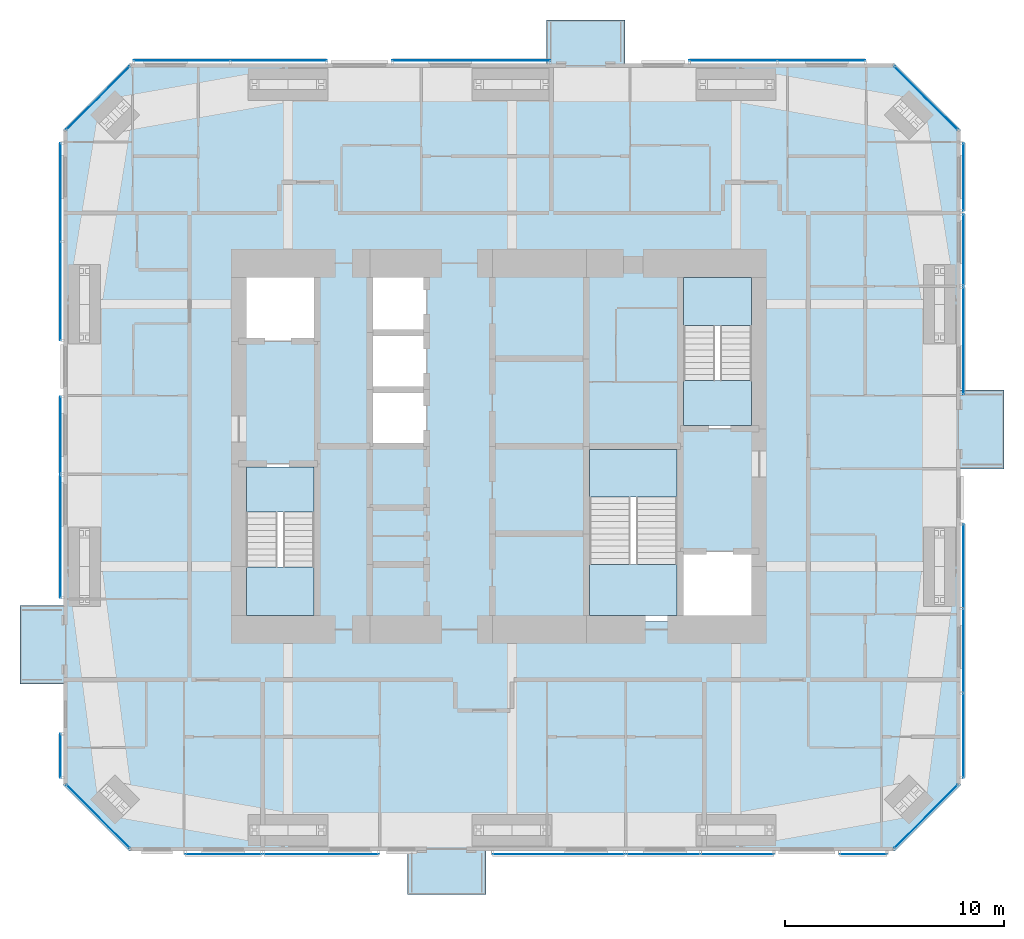
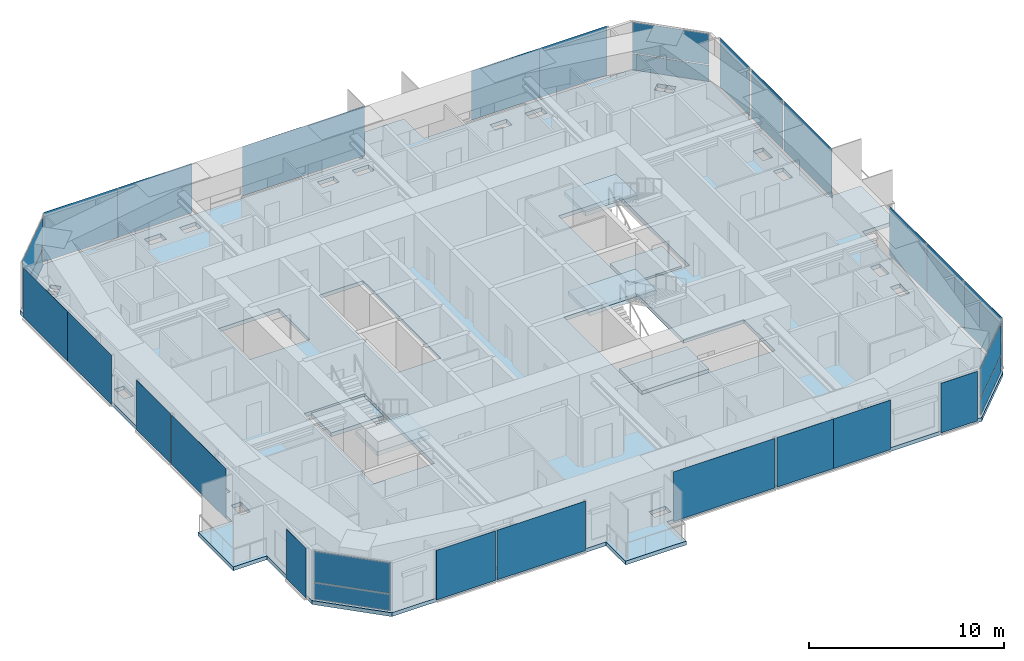
# One storey, part 14 of 23: 30 plates, 7 slabs, 23 elements without a shape of their own.
"""IFC4 building model written with IfcOpenShell, lengths in metres."""

import ifcopenshell
import ifcopenshell.guid

model = None  # the IFC model being written
_history = None  # IfcOwnerHistory: only IFC2X3 demands one
_inside = {}  # id of a spatial element -> (the spatial element, [elements in it])
_under = {}  # id of a project, library or spatial element -> (it, [spatial elements below it])
_declared = {}  # id of a project -> (the project, [libraries it declares])
_typed = {}  # id of a type object -> (the type object, [elements of that type])
_made_of = {}  # id of a material, layer set ... -> (it, [elements and type objects made of it])


def new_model(schema):
    """Start an empty IFC model of exactly this schema.

    Asked for "IFC4X3", IfcOpenShell would pick the latest addendum, in which some entities
    have other attributes; the version numbers below select the first issue.
    IFC2X3 requires an IfcOwnerHistory on every rooted entity: one is made here for all.
    """
    global model, _history
    if schema == "IFC4X3":
        model = ifcopenshell.file(schema_version=(4, 3, 0, 0))
    else:
        model = ifcopenshell.file(schema=schema)
    _inside.clear()
    _under.clear()
    _declared.clear()
    _typed.clear()
    _made_of.clear()
    _history = None
    if model.schema == "IFC2X3":
        org = make("IfcOrganization", Name="unknown")
        user = make(
            "IfcPersonAndOrganization",
            ThePerson=make("IfcPerson", FamilyName="unknown"),
            TheOrganization=org,
        )
        app = make(
            "IfcApplication",
            ApplicationDeveloper=org,
            Version="unknown",
            ApplicationFullName="unknown",
            ApplicationIdentifier="unknown",
        )
        _history = make(
            "IfcOwnerHistory",
            OwningUser=user,
            OwningApplication=app,
            ChangeAction="ADDED",
            CreationDate=0,
        )
    return model


def make(cls, **values):
    """One entity of the class cls with the attributes given. An attribute that is None is left unset."""
    return model.create_entity(
        cls, **{name: value for name, value in values.items() if value is not None}
    )


def rooted(cls, **values):
    """An entity with a GlobalId (a new one), such as an element, a storey or a relation."""
    return make(cls, GlobalId=ifcopenshell.guid.new(), OwnerHistory=_history, **values)


def si_unit(unit_type, name, prefix=None):
    """IfcSIUnit, for example si_unit("LENGTHUNIT", "METRE", prefix="MILLI")."""
    return make("IfcSIUnit", UnitType=unit_type, Prefix=prefix, Name=name)


def assignment(units):
    """IfcUnitAssignment: the units of a project."""
    return None if units is None else make("IfcUnitAssignment", Units=units)


def point(xyz):
    """IfcCartesianPoint."""
    return None if xyz is None else make("IfcCartesianPoint", Coordinates=xyz)


def direction(xyz):
    """IfcDirection."""
    return None if xyz is None else make("IfcDirection", DirectionRatios=xyz)


def frame(location, z_axis=None, x_axis=None):
    """IfcAxis2Placement3D, a coordinate frame: its origin and axes. An axis left out is left unset."""
    return make(
        "IfcAxis2Placement3D",
        Location=point(location),
        Axis=direction(z_axis),
        RefDirection=direction(x_axis),
    )


def frame_2d(location, x_axis=None):
    """IfcAxis2Placement2D, a coordinate frame in the plane: its origin and x axis."""
    return make(
        "IfcAxis2Placement2D", Location=point(location), RefDirection=direction(x_axis)
    )


def origin():
    """The frame at (0, 0, 0) with its axes left unset."""
    return frame((0.0, 0.0, 0.0))


def origin_2d():
    """The frame at (0, 0) in the plane with its x axis left unset."""
    return frame_2d((0.0, 0.0))


def place(relative_to, where):
    """IfcLocalPlacement: puts the frame where relative to a parent placement (None: the world)."""
    return make(
        "IfcLocalPlacement", PlacementRelTo=relative_to, RelativePlacement=where
    )


def context(
    kind, dimensions, precision=None, world=None, true_north=None, identifier=None
):
    """IfcGeometricRepresentationContext, for example the 3D "Model" context."""
    return make(
        "IfcGeometricRepresentationContext",
        ContextIdentifier=identifier,
        ContextType=kind,
        CoordinateSpaceDimension=dimensions,
        Precision=precision,
        WorldCoordinateSystem=world,
        TrueNorth=true_north,
    )


def subcontext(parent, identifier, kind, view, scale=None):
    """IfcGeometricRepresentationSubContext, for example "Body" below "Model"."""
    return make(
        "IfcGeometricRepresentationSubContext",
        ContextIdentifier=identifier,
        ContextType=kind,
        ParentContext=parent,
        TargetScale=scale,
        TargetView=view,
    )


def project(units=None, contexts=None):
    """IfcProject with its units and contexts."""
    return rooted(
        "IfcProject",
        Name="project",
        RepresentationContexts=contexts,
        UnitsInContext=assignment(units),
    )


def spatial(cls, under=None, at=None, **own):
    """A site, building, storey or space (cls), placed at a placement, below another one or the project."""
    s = rooted(cls, ObjectPlacement=at, **own)
    if under is not None:
        _under.setdefault(under.id(), (under, []))[1].append(s)
    return s


def polyline(points):
    """IfcPolyline through the points."""
    return make("IfcPolyline", Points=[point(p) for p in points])


def profile(cls, at=None, kind="AREA", **sizes):
    """A parametric profile (cls). Its sizes go by their IFC names, for example OverallWidth=200.0."""
    return make(cls, ProfileType=kind, Position=at, **sizes)


def rectangle(**sizes):
    """IfcRectangleProfileDef."""
    return profile("IfcRectangleProfileDef", **sizes)


def outline(outer, holes=None, kind="AREA"):
    """IfcArbitraryClosedProfileDef: a profile drawn as a closed curve; with holes, ...WithVoids."""
    if holes is None:
        return make("IfcArbitraryClosedProfileDef", ProfileType=kind, OuterCurve=outer)
    return make(
        "IfcArbitraryProfileDefWithVoids",
        ProfileType=kind,
        OuterCurve=outer,
        InnerCurves=holes,
    )


def extrude(swept, where, along, depth):
    """IfcExtrudedAreaSolid: the profile swept, set in the frame where, extruded along a direction by depth."""
    return make(
        "IfcExtrudedAreaSolid",
        SweptArea=swept,
        Position=where,
        ExtrudedDirection=direction(along),
        Depth=depth,
    )


def shape(context_of_items, identifier, shape_type, items):
    """IfcShapeRepresentation: the items that make up one representation, for example the "Body"."""
    return make(
        "IfcShapeRepresentation",
        ContextOfItems=context_of_items,
        RepresentationIdentifier=identifier,
        RepresentationType=shape_type,
        Items=items,
    )


def material(Name=None, Category=None):
    """IfcMaterial."""
    return make("IfcMaterial", Name=Name, Category=Category)


def layer(
    of_material, thickness, ventilated=None, Name=None, Category=None, Priority=None
):
    """IfcMaterialLayer: one layer of a wall or slab, of a material (None: an air gap)."""
    return make(
        "IfcMaterialLayer",
        Material=of_material,
        LayerThickness=thickness,
        IsVentilated=ventilated,
        Name=Name,
        Category=Category,
        Priority=Priority,
    )


def layer_set(layers, Name=None):
    """IfcMaterialLayerSet."""
    return make("IfcMaterialLayerSet", MaterialLayers=layers, LayerSetName=Name)


def made_of(thing, what):
    """Note that an element or type object is made of a material, layer set ...; save() writes the relation."""
    if what is not None:
        _made_of.setdefault(what.id(), (what, []))[1].append(thing)
    return thing


def type_object(cls, material=None, **own):
    """A type object (cls), such as IfcWallType, which elements share."""
    return made_of(rooted(cls, **own), material)


def element(
    cls,
    number,
    at=None,
    inside=None,
    cuts=None,
    type_object=None,
    material=None,
    context=None,
    identifier="Body",
    shape_type=None,
    held_by="IfcProductDefinitionShape",
    body=None,
    shapes=None,
    **own,
):
    """One element of the class cls, such as IfcWall. Its Tag is "e" and its number.

    at: its placement. inside: the storey or other place that contains it. cuts: it is an
    opening in that element (IfcRelVoidsElement). A single representation is given by context,
    identifier, shape_type and body (its items); several are given by shapes. held_by: the class
    of the entity that holds the representations. save() writes the other relations.
    """
    e = rooted(cls, Tag="e%d" % number, ObjectPlacement=at, **own)
    if body is not None:
        shapes = [shape(context, identifier, shape_type, body)]
    if shapes is not None:
        e.Representation = make(held_by, Representations=shapes)
    if inside is not None:
        _inside.setdefault(inside.id(), (inside, []))[1].append(e)
    if cuts is not None:
        rooted(
            "IfcRelVoidsElement", RelatingBuildingElement=cuts, RelatedOpeningElement=e
        )
    if type_object is not None:
        _typed.setdefault(type_object.id(), (type_object, []))[1].append(e)
    return made_of(e, material)


def aggregate(whole, parts):
    """IfcRelAggregates: a whole, such as a stair, and the parts it consists of."""
    return rooted("IfcRelAggregates", RelatingObject=whole, RelatedObjects=parts)


def save(model, path):
    """Write the relations noted so far, then the file.

    IfcRelAggregates (storeys below a building ...), IfcRelContainedInSpatialStructure (elements
    in a storey), IfcRelDefinesByType, IfcRelAssociatesMaterial and IfcRelDeclares: one each for
    every whole, place, type object, material and project.
    """
    for whole, parts in _under.values():
        aggregate(whole, parts)
    for where, things in _inside.values():
        rooted(
            "IfcRelContainedInSpatialStructure",
            RelatedElements=things,
            RelatingStructure=where,
        )
    for kind, things in _typed.values():
        rooted("IfcRelDefinesByType", RelatedObjects=things, RelatingType=kind)
    for what, things in _made_of.values():
        rooted("IfcRelAssociatesMaterial", RelatedObjects=things, RelatingMaterial=what)
    for by, libraries in _declared.values():
        rooted("IfcRelDeclares", RelatingContext=by, RelatedDefinitions=libraries)
    model.write(path)


model = new_model("IFC4")

# Units and contexts
model_context = context("Model", 3, precision=1e-05, world=origin(), true_north=direction((0.0, 1.0)))
body_context = subcontext(model_context, "Body", "Model", "MODEL_VIEW")
ifc_project = project(units=[si_unit("LENGTHUNIT", "METRE"), si_unit("AREAUNIT", "SQUARE_METRE"), si_unit("VOLUMEUNIT", "CUBIC_METRE"), si_unit("PLANEANGLEUNIT", "RADIAN"), si_unit("MASSUNIT", "GRAM", prefix="KILO")], contexts=[model_context])

# Site, building, storey
site_placement = place(None, origin())
site = spatial("IfcSite", under=ifc_project, at=site_placement, CompositionType="ELEMENT")
building_placement = place(site_placement, origin())
building = spatial("IfcBuilding", under=site, at=building_placement, Name="Jalousie Tower", CompositionType="ELEMENT")
storey_placement = place(building_placement, frame((0.0, 0.0, 197.89990234375)))
storey = spatial("IfcBuildingStorey", under=building, at=storey_placement, Name="L54", CompositionType="ELEMENT", Elevation=197.89990234375)

# Curtain wall, plates
ifc_material_1 = material(Name="Aluminium curtain wall", Category="aluminium")
curtain_wall_type_1 = type_object("IfcCurtainWallType", Name="CORNER WINDOW WALL", PredefinedType="USERDEFINED", material=ifc_material_1)
curtain_wall_1_placement = place(storey_placement, origin())
curtain_wall_1 = element("IfcCurtainWall", 1, at=curtain_wall_1_placement, inside=storey, type_object=curtain_wall_type_1, Name="Corner Window Wall L54 2", ObjectType="CORNER WINDOW WALL", PredefinedType="USERDEFINED")
ifc_material_2 = material(Name="Laminated impact-rated spandrel glass", Category="glass")
ifc_layer_1 = layer(ifc_material_2, 0.028076171875)
ifc_layer_set_1 = layer_set([ifc_layer_1], Name="Laminated impact-rated spandrel glass")
plate_type_1 = type_object("IfcPlateType", Name="CORNER WINDOW WALL PANEL", PredefinedType="CURTAIN_PANEL", material=ifc_layer_set_1)
plate_1_placement = place(storey_placement, frame((51.4306640625, 1.5693359375, 0.06005859375), z_axis=(0.0, 0.0, 1.0), x_axis=(0.707106781187, 0.707106781187, 0.0)))
plate_1 = element("IfcPlate", 2, at=plate_1_placement, type_object=plate_type_1, Name="CW-C panel 1.1", PredefinedType="CURTAIN_PANEL", context=body_context, shape_type="SweptSolid", body=[
    extrude(rectangle(XDim=4.071533203125, YDim=0.028076171875, at=origin_2d()), origin(), (0.0, 0.0, 1.0), 1.010009765625),
])
plate_2_placement = place(storey_placement, frame((51.4306640625, 1.5693359375, 1.130126953125), z_axis=(0.0, 0.0, 1.0), x_axis=(0.707106781187, 0.707106781187, 0.0)))
plate_2 = element("IfcPlate", 3, at=plate_2_placement, type_object=plate_type_1, Name="CW-C panel 1.2", PredefinedType="CURTAIN_PANEL", context=body_context, shape_type="SweptSolid", body=[
    extrude(rectangle(XDim=4.071533203125, YDim=0.028076171875, at=origin_2d()), origin(), (0.0, 0.0, 1.0), 1.919921875),
])
aggregate(curtain_wall_1, [plate_1, plate_2])

curtain_wall_2_placement = place(storey_placement, origin())
curtain_wall_2 = element("IfcCurtainWall", 4, at=curtain_wall_2_placement, inside=storey, type_object=curtain_wall_type_1, Name="Corner Window Wall L54 4", ObjectType="CORNER WINDOW WALL", PredefinedType="USERDEFINED")
plate_3_placement = place(storey_placement, frame((51.4306640625, 34.4306640625, 0.06005859375), z_axis=(0.0, 0.0, 1.0), x_axis=(-0.707106781187, 0.707106781187, 0.0)))
plate_3 = element("IfcPlate", 5, at=plate_3_placement, type_object=plate_type_1, Name="CW-C panel 1.1", PredefinedType="CURTAIN_PANEL", context=body_context, shape_type="SweptSolid", body=[
    extrude(rectangle(XDim=4.071533203125, YDim=0.028076171875, at=origin_2d()), origin(), (0.0, 0.0, 1.0), 1.010009765625),
])
plate_4_placement = place(storey_placement, frame((51.4306640625, 34.4306640625, 1.130126953125), z_axis=(0.0, 0.0, 1.0), x_axis=(-0.707106781187, 0.707106781187, 0.0)))
plate_4 = element("IfcPlate", 6, at=plate_4_placement, type_object=plate_type_1, Name="CW-C panel 1.2", PredefinedType="CURTAIN_PANEL", context=body_context, shape_type="SweptSolid", body=[
    extrude(rectangle(XDim=4.071533203125, YDim=0.028076171875, at=origin_2d()), origin(), (0.0, 0.0, 1.0), 1.919921875),
])
aggregate(curtain_wall_2, [plate_3, plate_4])

curtain_wall_3_placement = place(storey_placement, origin())
curtain_wall_3 = element("IfcCurtainWall", 7, at=curtain_wall_3_placement, inside=storey, type_object=curtain_wall_type_1, Name="Corner Window Wall L54 6", ObjectType="CORNER WINDOW WALL", PredefinedType="USERDEFINED")
plate_5_placement = place(storey_placement, frame((13.5693359375, 34.4306640625, 0.06005859375), z_axis=(0.0, 0.0, 1.0), x_axis=(-0.707106781187, -0.707106781187, 0.0)))
plate_5 = element("IfcPlate", 8, at=plate_5_placement, type_object=plate_type_1, Name="CW-C panel 1.1", PredefinedType="CURTAIN_PANEL", context=body_context, shape_type="SweptSolid", body=[
    extrude(rectangle(XDim=4.071533203125, YDim=0.028076171875, at=origin_2d()), origin(), (0.0, 0.0, 1.0), 1.010009765625),
])
plate_6_placement = place(storey_placement, frame((13.5693359375, 34.4306640625, 1.130126953125), z_axis=(0.0, 0.0, 1.0), x_axis=(-0.707106781187, -0.707106781187, 0.0)))
plate_6 = element("IfcPlate", 9, at=plate_6_placement, type_object=plate_type_1, Name="CW-C panel 1.2", PredefinedType="CURTAIN_PANEL", context=body_context, shape_type="SweptSolid", body=[
    extrude(rectangle(XDim=4.071533203125, YDim=0.028076171875, at=origin_2d()), origin(), (0.0, 0.0, 1.0), 1.919921875),
])
aggregate(curtain_wall_3, [plate_5, plate_6])

curtain_wall_4_placement = place(storey_placement, origin())
curtain_wall_4 = element("IfcCurtainWall", 10, at=curtain_wall_4_placement, inside=storey, type_object=curtain_wall_type_1, Name="Corner Window Wall L54 8", ObjectType="CORNER WINDOW WALL", PredefinedType="USERDEFINED")
plate_7_placement = place(storey_placement, frame((13.5693359375, 1.5693359375, 0.06005859375), z_axis=(0.0, 0.0, 1.0), x_axis=(0.707106781187, -0.707106781187, 0.0)))
plate_7 = element("IfcPlate", 11, at=plate_7_placement, type_object=plate_type_1, Name="CW-C panel 1.1", PredefinedType="CURTAIN_PANEL", context=body_context, shape_type="SweptSolid", body=[
    extrude(rectangle(XDim=4.071533203125, YDim=0.028076171875, at=origin_2d()), origin(), (0.0, 0.0, 1.0), 1.010009765625),
])
plate_8_placement = place(storey_placement, frame((13.5693359375, 1.5693359375, 1.130126953125), z_axis=(0.0, 0.0, 1.0), x_axis=(0.707106781187, -0.707106781187, 0.0)))
plate_8 = element("IfcPlate", 12, at=plate_8_placement, type_object=plate_type_1, Name="CW-C panel 1.2", PredefinedType="CURTAIN_PANEL", context=body_context, shape_type="SweptSolid", body=[
    extrude(rectangle(XDim=4.071533203125, YDim=0.028076171875, at=origin_2d()), origin(), (0.0, 0.0, 1.0), 1.919921875),
])
aggregate(curtain_wall_4, [plate_7, plate_8])

# Slab
ifc_material_3 = material(Name="Concrete f'c 40 MPa", Category="concrete")
ifc_layer_2 = layer(ifc_material_3, 0.239990234375)
ifc_layer_set_2 = layer_set([ifc_layer_2], Name="Concrete f'c 40 MPa")
slab_type_1 = type_object("IfcSlabType", Name="FLOOR SLAB 240", PredefinedType="FLOOR", material=ifc_layer_set_2)
slab_1_placement = place(storey_placement, frame((0.0, 0.0, -0.239990234375)))
element("IfcSlab", 13, at=slab_1_placement, inside=storey, type_object=slab_type_1, Name="L54 floor slab", PredefinedType="FLOOR", context=body_context, shape_type="SweptSolid", body=[
    extrude(outline(polyline([(34.074951171875, 36.0), (34.074951171875, 38.0), (37.675048828125, 38.0), (37.675048828125, 36.0), (50.0, 36.0), (53.0, 33.0), (53.0, 21.074951171875), (55.0, 21.074951171875), (55.0, 17.47509765625), (53.0, 17.47509765625), (53.0, 3.0), (50.0, 0.0), (31.3125, 0.0), (31.3125, -2.0), (27.71240234375, -2.0), (27.71240234375, 0.0), (15.0, 0.0), (12.0, 3.0), (12.0, 7.625), (10.0, 7.625), (10.0, 11.22509765625), (12.0, 11.22509765625), (12.0, 33.0), (15.0, 36.0), (34.074951171875, 36.0)]), holes=[polyline([(52.336181640625, 25.54150390625), (52.336181640625, 26.52490234375), (51.763916015625, 26.52490234375), (51.763916015625, 25.54150390625), (52.336181640625, 25.54150390625)]), polyline([(51.763916015625, 23.47509765625), (52.336181640625, 23.47509765625), (52.336181640625, 24.45849609375), (51.763916015625, 24.45849609375), (51.763916015625, 23.47509765625)]), polyline([(51.763916015625, 13.54150390625), (52.336181640625, 13.54150390625), (52.336181640625, 14.52490234375), (51.763916015625, 14.52490234375), (51.763916015625, 13.54150390625)]), polyline([(51.763916015625, 11.47509765625), (52.336181640625, 11.47509765625), (52.336181640625, 12.45849609375), (51.763916015625, 12.45849609375), (51.763916015625, 11.47509765625)]), polyline([(50.856689453125, 33.851318359375), (50.451904296875, 33.446533203125), (50.802490234375, 33.095703125), (51.20751953125, 33.500244140625), (50.856689453125, 33.851318359375)]), polyline([(50.802490234375, 2.904296875), (50.451904296875, 2.553466796875), (50.856689453125, 2.148681640625), (51.20751953125, 2.499755859375), (50.802490234375, 2.904296875)]), polyline([(50.446533203125, 33.451904296875), (50.851318359375, 33.856689453125), (50.500244140625, 34.20751953125), (50.095703125, 33.802490234375), (50.446533203125, 33.451904296875)]), polyline([(50.095703125, 2.197509765625), (50.500244140625, 1.79248046875), (50.851318359375, 2.143310546875), (50.446533203125, 2.548095703125), (50.095703125, 2.197509765625)]), polyline([(44.27490234375, 35.336181640625), (43.29150390625, 35.336181640625), (43.29150390625, 34.763916015625), (44.27490234375, 34.763916015625), (44.27490234375, 35.336181640625)]), polyline([(44.27490234375, 1.236083984375), (43.29150390625, 1.236083984375), (43.29150390625, 0.663818359375), (44.27490234375, 0.663818359375), (44.27490234375, 1.236083984375)]), polyline([(40.199951171875, 19.300048828125), (43.800048828125, 19.300048828125), (43.800048828125, 26.5), (40.199951171875, 26.5), (40.199951171875, 19.300048828125)]), polyline([(35.89990234375, 18.5), (35.89990234375, 10.5), (43.800048828125, 10.5), (43.800048828125, 13.699951171875), (40.199951171875, 13.699951171875), (40.199951171875, 18.5), (35.89990234375, 18.5)]), polyline([(42.20849609375, 34.763916015625), (42.20849609375, 35.336181640625), (41.22509765625, 35.336181640625), (41.22509765625, 34.763916015625), (42.20849609375, 34.763916015625)]), polyline([(41.22509765625, 0.663818359375), (42.20849609375, 0.663818359375), (42.20849609375, 1.236083984375), (41.22509765625, 1.236083984375), (41.22509765625, 0.663818359375)]), polyline([(33.04150390625, 35.336181640625), (33.04150390625, 34.763916015625), (34.02490234375, 34.763916015625), (34.02490234375, 35.336181640625), (33.04150390625, 35.336181640625)]), polyline([(33.04150390625, 1.236083984375), (33.04150390625, 0.663818359375), (34.02490234375, 0.663818359375), (34.02490234375, 1.236083984375), (33.04150390625, 1.236083984375)]), polyline([(31.95849609375, 34.763916015625), (31.95849609375, 35.336181640625), (30.97509765625, 35.336181640625), (30.97509765625, 34.763916015625), (31.95849609375, 34.763916015625)]), polyline([(31.95849609375, 0.663818359375), (31.95849609375, 1.236083984375), (30.97509765625, 1.236083984375), (30.97509765625, 0.663818359375), (31.95849609375, 0.663818359375)]), polyline([(28.60009765625, 18.5), (28.60009765625, 26.5), (26.0, 26.5), (26.0, 18.5), (28.60009765625, 18.5)]), polyline([(22.79150390625, 1.236083984375), (22.79150390625, 0.663818359375), (23.77490234375, 0.663818359375), (23.77490234375, 1.236083984375), (22.79150390625, 1.236083984375)]), polyline([(23.77490234375, 34.763916015625), (23.77490234375, 35.336181640625), (22.79150390625, 35.336181640625), (22.79150390625, 34.763916015625), (23.77490234375, 34.763916015625)]), polyline([(20.0, 23.300048828125), (23.60009765625, 23.300048828125), (23.60009765625, 26.5), (20.0, 26.5), (20.0, 23.300048828125)]), polyline([(20.0, 10.5), (23.60009765625, 10.5), (23.60009765625, 17.699951171875), (20.0, 17.699951171875), (20.0, 10.5)]), polyline([(20.72509765625, 35.336181640625), (20.72509765625, 34.763916015625), (21.70849609375, 34.763916015625), (21.70849609375, 35.336181640625), (20.72509765625, 35.336181640625)]), polyline([(20.72509765625, 1.236083984375), (20.72509765625, 0.663818359375), (21.70849609375, 0.663818359375), (21.70849609375, 1.236083984375), (20.72509765625, 1.236083984375)]), polyline([(14.904296875, 33.802490234375), (14.499755859375, 34.20751953125), (14.148681640625, 33.856689453125), (14.553466796875, 33.451904296875), (14.904296875, 33.802490234375)]), polyline([(14.148681640625, 2.143310546875), (14.499755859375, 1.79248046875), (14.904296875, 2.197509765625), (14.553466796875, 2.548095703125), (14.148681640625, 2.143310546875)]), polyline([(14.197509765625, 2.904296875), (13.79248046875, 2.499755859375), (14.143310546875, 2.148681640625), (14.548095703125, 2.553466796875), (14.197509765625, 2.904296875)]), polyline([(13.79248046875, 33.500244140625), (14.197509765625, 33.095703125), (14.548095703125, 33.446533203125), (14.143310546875, 33.851318359375), (13.79248046875, 33.500244140625)]), polyline([(12.663818359375, 11.47509765625), (13.236083984375, 11.47509765625), (13.236083984375, 12.45849609375), (12.663818359375, 12.45849609375), (12.663818359375, 11.47509765625)]), polyline([(13.236083984375, 24.45849609375), (12.663818359375, 24.45849609375), (12.663818359375, 23.47509765625), (13.236083984375, 23.47509765625), (13.236083984375, 24.45849609375)]), polyline([(12.663818359375, 25.54150390625), (13.236083984375, 25.54150390625), (13.236083984375, 26.52490234375), (12.663818359375, 26.52490234375), (12.663818359375, 25.54150390625)]), polyline([(13.236083984375, 13.54150390625), (13.236083984375, 14.52490234375), (12.663818359375, 14.52490234375), (12.663818359375, 13.54150390625), (13.236083984375, 13.54150390625)])]), origin(), (0.0, 0.0, 1.0), 0.239990234375),
])

# Curtain wall, plate
ifc_material_4 = material(Name="Perforated aluminium sheet", Category="aluminium")
curtain_wall_type_2 = type_object("IfcCurtainWallType", Name="SOLAR SCREEN SS-1", PredefinedType="USERDEFINED", material=ifc_material_4)
curtain_wall_5_placement = place(storey_placement, origin())
curtain_wall_5 = element("IfcCurtainWall", 14, at=curtain_wall_5_placement, inside=storey, type_object=curtain_wall_type_2, Name="Solar screen L54", ObjectType="SOLAR SCREEN SS-1", PredefinedType="USERDEFINED")
ifc_material_5 = material(Name="Perforated aluminium sheet", Category="aluminium")
ifc_layer_3 = layer(ifc_material_5, 0.006103515625)
ifc_layer_set_3 = layer_set([ifc_layer_3], Name="Perforated aluminium sheet")
plate_type_2 = type_object("IfcPlateType", Name="SOLAR SCREEN SS-1 PANEL", PredefinedType="CURTAIN_PANEL", material=ifc_layer_set_3)
plate_9_placement = place(storey_placement, frame((19.300048828125, -0.150390625, 0.0), z_axis=(0.0, 0.0, 1.0), x_axis=(1.0, 0.0, 0.0)))
plate_9 = element("IfcPlate", 15, at=plate_9_placement, type_object=plate_type_2, Name="SS1 perforated panel 1", PredefinedType="CURTAIN_PANEL", context=body_context, shape_type="SweptSolid", body=[
    extrude(rectangle(XDim=3.5, YDim=0.006103515625, at=origin_2d()), origin(), (0.0, 0.0, 1.0), 3.110107421875),
])
aggregate(curtain_wall_5, [plate_9])

curtain_wall_6_placement = place(storey_placement, origin())
curtain_wall_6 = element("IfcCurtainWall", 16, at=curtain_wall_6_placement, inside=storey, type_object=curtain_wall_type_2, Name="Solar screen L54", ObjectType="SOLAR SCREEN SS-1", PredefinedType="USERDEFINED")
plate_10_placement = place(storey_placement, frame((23.77490234375, -0.150390625, 0.0), z_axis=(0.0, 0.0, 1.0), x_axis=(1.0, 0.0, 0.0)))
plate_10 = element("IfcPlate", 17, at=plate_10_placement, type_object=plate_type_2, Name="SS1 perforated panel 1", PredefinedType="CURTAIN_PANEL", context=body_context, shape_type="SweptSolid", body=[
    extrude(rectangle(XDim=5.25, YDim=0.006103515625, at=origin_2d()), origin(), (0.0, 0.0, 1.0), 3.110107421875),
])
aggregate(curtain_wall_6, [plate_10])

curtain_wall_7_placement = place(storey_placement, origin())
curtain_wall_7 = element("IfcCurtainWall", 18, at=curtain_wall_7_placement, inside=storey, type_object=curtain_wall_type_2, Name="Solar screen L54", ObjectType="SOLAR SCREEN SS-1", PredefinedType="USERDEFINED")
plate_11_placement = place(storey_placement, frame((34.63134765625, -0.150390625, 0.0), z_axis=(0.0, 0.0, 1.0), x_axis=(1.0, 0.0, 0.0)))
plate_11 = element("IfcPlate", 19, at=plate_11_placement, type_object=plate_type_2, Name="SS1 perforated panel 1", PredefinedType="CURTAIN_PANEL", context=body_context, shape_type="SweptSolid", body=[
    extrude(rectangle(XDim=6.03759765625, YDim=0.006103515625, at=origin_2d()), origin(), (0.0, 0.0, 1.0), 3.110107421875),
])
aggregate(curtain_wall_7, [plate_11])

# Curtain wall, plates
curtain_wall_8_placement = place(storey_placement, origin())
curtain_wall_8 = element("IfcCurtainWall", 20, at=curtain_wall_8_placement, inside=storey, type_object=curtain_wall_type_2, Name="Solar screen L54", ObjectType="SOLAR SCREEN SS-1", PredefinedType="USERDEFINED")
plate_12_placement = place(storey_placement, frame((39.432861328125, -0.150390625, 0.0), z_axis=(0.0, 0.0, 1.0), x_axis=(1.0, 0.0, 0.0)))
plate_12 = element("IfcPlate", 21, at=plate_12_placement, type_object=plate_type_2, Name="SS1 perforated panel 1", PredefinedType="CURTAIN_PANEL", context=body_context, shape_type="SweptSolid", body=[
    extrude(rectangle(XDim=3.365478515625, YDim=0.006103515625, at=origin_2d()), origin(), (0.0, 0.0, 1.0), 3.110107421875),
])
plate_13_placement = place(storey_placement, frame((42.798583984375, -0.150390625, 0.0), z_axis=(0.0, 0.0, 1.0), x_axis=(1.0, 0.0, 0.0)))
plate_13 = element("IfcPlate", 22, at=plate_13_placement, type_object=plate_type_2, Name="SS1 perforated panel 2", PredefinedType="CURTAIN_PANEL", context=body_context, shape_type="SweptSolid", body=[
    extrude(rectangle(XDim=3.365478515625, YDim=0.006103515625, at=origin_2d()), origin(), (0.0, 0.0, 1.0), 3.110107421875),
])
aggregate(curtain_wall_8, [plate_12, plate_13])

# Curtain wall, plate
curtain_wall_9_placement = place(storey_placement, origin())
curtain_wall_9 = element("IfcCurtainWall", 23, at=curtain_wall_9_placement, inside=storey, type_object=curtain_wall_type_2, Name="Solar screen L54", ObjectType="SOLAR SCREEN SS-1", PredefinedType="USERDEFINED")
plate_14_placement = place(storey_placement, frame((48.56494140625, -0.150390625, 0.0), z_axis=(0.0, 0.0, 1.0), x_axis=(1.0, 0.0, 0.0)))
plate_14 = element("IfcPlate", 24, at=plate_14_placement, type_object=plate_type_2, Name="SS1 perforated panel 1", PredefinedType="CURTAIN_PANEL", context=body_context, shape_type="SweptSolid", body=[
    extrude(rectangle(XDim=2.16748046875, YDim=0.006103515625, at=origin_2d()), origin(), (0.0, 0.0, 1.0), 3.110107421875),
])
aggregate(curtain_wall_9, [plate_14])

# Curtain wall, plates
curtain_wall_10_placement = place(storey_placement, origin())
curtain_wall_10 = element("IfcCurtainWall", 25, at=curtain_wall_10_placement, inside=storey, type_object=curtain_wall_type_2, Name="Solar screen L54", ObjectType="SOLAR SCREEN SS-1", PredefinedType="USERDEFINED")
plate_15_placement = place(storey_placement, frame((53.150390625, 5.284423828125, 0.0), z_axis=(0.0, 0.0, 1.0), x_axis=(0.0, 1.0, 0.0)))
plate_15 = element("IfcPlate", 26, at=plate_15_placement, type_object=plate_type_2, Name="SS1 perforated panel 1", PredefinedType="CURTAIN_PANEL", context=body_context, shape_type="SweptSolid", body=[
    extrude(rectangle(XDim=3.8662109375, YDim=0.006103515625, at=origin_2d()), origin(), (0.0, 0.0, 1.0), 3.110107421875),
])
plate_16_placement = place(storey_placement, frame((53.150390625, 9.150634765625, 0.0), z_axis=(0.0, 0.0, 1.0), x_axis=(0.0, 1.0, 0.0)))
plate_16 = element("IfcPlate", 27, at=plate_16_placement, type_object=plate_type_2, Name="SS1 perforated panel 2", PredefinedType="CURTAIN_PANEL", context=body_context, shape_type="SweptSolid", body=[
    extrude(rectangle(XDim=3.8662109375, YDim=0.006103515625, at=origin_2d()), origin(), (0.0, 0.0, 1.0), 3.110107421875),
])
plate_17_placement = place(storey_placement, frame((53.150390625, 13.016845703125, 0.0), z_axis=(0.0, 0.0, 1.0), x_axis=(0.0, 1.0, 0.0)))
plate_17 = element("IfcPlate", 28, at=plate_17_placement, type_object=plate_type_2, Name="SS1 perforated panel 3", PredefinedType="CURTAIN_PANEL", context=body_context, shape_type="SweptSolid", body=[
    extrude(rectangle(XDim=3.8662109375, YDim=0.006103515625, at=origin_2d()), origin(), (0.0, 0.0, 1.0), 3.110107421875),
])
aggregate(curtain_wall_10, [plate_15, plate_16, plate_17])

# Curtain wall, plate
curtain_wall_11_placement = place(storey_placement, origin())
curtain_wall_11 = element("IfcCurtainWall", 29, at=curtain_wall_11_placement, inside=storey, type_object=curtain_wall_type_2, Name="Solar screen L54", ObjectType="SOLAR SCREEN SS-1", PredefinedType="USERDEFINED")
plate_18_placement = place(storey_placement, frame((53.150390625, 23.324951171875, 0.0), z_axis=(0.0, 0.0, 1.0), x_axis=(0.0, 1.0, 0.0)))
plate_18 = element("IfcPlate", 30, at=plate_18_placement, type_object=plate_type_2, Name="SS1 perforated panel 1", PredefinedType="CURTAIN_PANEL", context=body_context, shape_type="SweptSolid", body=[
    extrude(rectangle(XDim=4.89990234375, YDim=0.006103515625, at=origin_2d()), origin(), (0.0, 0.0, 1.0), 3.110107421875),
])
aggregate(curtain_wall_11, [plate_18])

curtain_wall_12_placement = place(storey_placement, origin())
curtain_wall_12 = element("IfcCurtainWall", 31, at=curtain_wall_12_placement, inside=storey, type_object=curtain_wall_type_2, Name="Solar screen L54", ObjectType="SOLAR SCREEN SS-1", PredefinedType="USERDEFINED")
plate_19_placement = place(storey_placement, frame((53.150390625, 27.5, 0.0), z_axis=(0.0, 0.0, 1.0), x_axis=(0.0, 1.0, 0.0)))
plate_19 = element("IfcPlate", 32, at=plate_19_placement, type_object=plate_type_2, Name="SS1 perforated panel 1", PredefinedType="CURTAIN_PANEL", context=body_context, shape_type="SweptSolid", body=[
    extrude(rectangle(XDim=3.25, YDim=0.006103515625, at=origin_2d()), origin(), (0.0, 0.0, 1.0), 3.110107421875),
])
aggregate(curtain_wall_12, [plate_19])

curtain_wall_13_placement = place(storey_placement, origin())
curtain_wall_13 = element("IfcCurtainWall", 33, at=curtain_wall_13_placement, inside=storey, type_object=curtain_wall_type_2, Name="Solar screen L54", ObjectType="SOLAR SCREEN SS-1", PredefinedType="USERDEFINED")
plate_20_placement = place(storey_placement, frame((53.150390625, 30.822509765625, 0.0), z_axis=(0.0, 0.0, 1.0), x_axis=(0.0, 1.0, 0.0)))
plate_20 = element("IfcPlate", 34, at=plate_20_placement, type_object=plate_type_2, Name="SS1 perforated panel 1", PredefinedType="CURTAIN_PANEL", context=body_context, shape_type="SweptSolid", body=[
    extrude(rectangle(XDim=3.09521484375, YDim=0.006103515625, at=origin_2d()), origin(), (0.0, 0.0, 1.0), 3.110107421875),
])
aggregate(curtain_wall_13, [plate_20])

# Curtain wall, plates
curtain_wall_14_placement = place(storey_placement, origin())
curtain_wall_14 = element("IfcCurtainWall", 35, at=curtain_wall_14_placement, inside=storey, type_object=curtain_wall_type_2, Name="Solar screen L54", ObjectType="SOLAR SCREEN SS-1", PredefinedType="USERDEFINED")
plate_21_placement = place(storey_placement, frame((46.640625, 36.150390625, 0.0), z_axis=(0.0, 0.0, 1.0), x_axis=(-1.0, 0.0, 0.0)))
plate_21 = element("IfcPlate", 36, at=plate_21_placement, type_object=plate_type_2, Name="SS1 perforated panel 1", PredefinedType="CURTAIN_PANEL", context=body_context, shape_type="SweptSolid", body=[
    extrude(rectangle(XDim=4.018798828125, YDim=0.006103515625, at=origin_2d()), origin(), (0.0, 0.0, 1.0), 3.110107421875),
])
plate_22_placement = place(storey_placement, frame((42.621826171875, 36.150390625, 0.0), z_axis=(0.0, 0.0, 1.0), x_axis=(-1.0, 0.0, 0.0)))
plate_22 = element("IfcPlate", 37, at=plate_22_placement, type_object=plate_type_2, Name="SS1 perforated panel 2", PredefinedType="CURTAIN_PANEL", context=body_context, shape_type="SweptSolid", body=[
    extrude(rectangle(XDim=4.018798828125, YDim=0.006103515625, at=origin_2d()), origin(), (0.0, 0.0, 1.0), 3.110107421875),
])
aggregate(curtain_wall_14, [plate_21, plate_22])

# Curtain wall, plate
curtain_wall_15_placement = place(storey_placement, origin())
curtain_wall_15 = element("IfcCurtainWall", 38, at=curtain_wall_15_placement, inside=storey, type_object=curtain_wall_type_2, Name="Solar screen L54", ObjectType="SOLAR SCREEN SS-1", PredefinedType="USERDEFINED")
plate_23_placement = place(storey_placement, frame((30.637451171875, 36.150390625, 0.0), z_axis=(0.0, 0.0, 1.0), x_axis=(-1.0, 0.0, 0.0)))
plate_23 = element("IfcPlate", 39, at=plate_23_placement, type_object=plate_type_2, Name="SS1 perforated panel 1", PredefinedType="CURTAIN_PANEL", context=body_context, shape_type="SweptSolid", body=[
    extrude(rectangle(XDim=7.22509765625, YDim=0.006103515625, at=origin_2d()), origin(), (0.0, 0.0, 1.0), 3.110107421875),
])
aggregate(curtain_wall_15, [plate_23])

# Curtain wall, plates
curtain_wall_16_placement = place(storey_placement, origin())
curtain_wall_16 = element("IfcCurtainWall", 40, at=curtain_wall_16_placement, inside=storey, type_object=curtain_wall_type_2, Name="Solar screen L54", ObjectType="SOLAR SCREEN SS-1", PredefinedType="USERDEFINED")
plate_24_placement = place(storey_placement, frame((21.818603515625, 36.150390625, 0.0), z_axis=(0.0, 0.0, 1.0), x_axis=(-1.0, 0.0, 0.0)))
plate_24 = element("IfcPlate", 41, at=plate_24_placement, type_object=plate_type_2, Name="SS1 perforated panel 1", PredefinedType="CURTAIN_PANEL", context=body_context, shape_type="SweptSolid", body=[
    extrude(rectangle(XDim=4.41259765625, YDim=0.006103515625, at=origin_2d()), origin(), (0.0, 0.0, 1.0), 3.110107421875),
])
plate_25_placement = place(storey_placement, frame((17.40625, 36.150390625, 0.0), z_axis=(0.0, 0.0, 1.0), x_axis=(-1.0, 0.0, 0.0)))
plate_25 = element("IfcPlate", 42, at=plate_25_placement, type_object=plate_type_2, Name="SS1 perforated panel 2", PredefinedType="CURTAIN_PANEL", context=body_context, shape_type="SweptSolid", body=[
    extrude(rectangle(XDim=4.41259765625, YDim=0.006103515625, at=origin_2d()), origin(), (0.0, 0.0, 1.0), 3.110107421875),
])
aggregate(curtain_wall_16, [plate_24, plate_25])

curtain_wall_17_placement = place(storey_placement, origin())
curtain_wall_17 = element("IfcCurtainWall", 43, at=curtain_wall_17_placement, inside=storey, type_object=curtain_wall_type_2, Name="Solar screen L54", ObjectType="SOLAR SCREEN SS-1", PredefinedType="USERDEFINED")
plate_26_placement = place(storey_placement, frame((11.849609375, 30.114990234375, 0.0), z_axis=(0.0, 0.0, 1.0), x_axis=(0.0, -1.0, 0.0)))
plate_26 = element("IfcPlate", 44, at=plate_26_placement, type_object=plate_type_2, Name="SS1 perforated panel 1", PredefinedType="CURTAIN_PANEL", context=body_context, shape_type="SweptSolid", body=[
    extrude(rectangle(XDim=4.510009765625, YDim=0.006103515625, at=origin_2d()), origin(), (0.0, 0.0, 1.0), 3.110107421875),
])
plate_27_placement = place(storey_placement, frame((11.849609375, 25.60498046875, 0.0), z_axis=(0.0, 0.0, 1.0), x_axis=(0.0, -1.0, 0.0)))
plate_27 = element("IfcPlate", 45, at=plate_27_placement, type_object=plate_type_2, Name="SS1 perforated panel 2", PredefinedType="CURTAIN_PANEL", context=body_context, shape_type="SweptSolid", body=[
    extrude(rectangle(XDim=4.510009765625, YDim=0.006103515625, at=origin_2d()), origin(), (0.0, 0.0, 1.0), 3.110107421875),
])
aggregate(curtain_wall_17, [plate_26, plate_27])

# Curtain wall, plate
curtain_wall_18_placement = place(storey_placement, origin())
curtain_wall_18 = element("IfcCurtainWall", 46, at=curtain_wall_18_placement, inside=storey, type_object=curtain_wall_type_2, Name="Solar screen L54", ObjectType="SOLAR SCREEN SS-1", PredefinedType="USERDEFINED")
plate_28_placement = place(storey_placement, frame((11.849609375, 19.02490234375, 0.0), z_axis=(0.0, 0.0, 1.0), x_axis=(0.0, -1.0, 0.0)))
plate_28 = element("IfcPlate", 47, at=plate_28_placement, type_object=plate_type_2, Name="SS1 perforated panel 1", PredefinedType="CURTAIN_PANEL", context=body_context, shape_type="SweptSolid", body=[
    extrude(rectangle(XDim=3.5, YDim=0.006103515625, at=origin_2d()), origin(), (0.0, 0.0, 1.0), 3.110107421875),
])
aggregate(curtain_wall_18, [plate_28])

curtain_wall_19_placement = place(storey_placement, origin())
curtain_wall_19 = element("IfcCurtainWall", 48, at=curtain_wall_19_placement, inside=storey, type_object=curtain_wall_type_2, Name="Solar screen L54", ObjectType="SOLAR SCREEN SS-1", PredefinedType="USERDEFINED")
plate_29_placement = place(storey_placement, frame((11.849609375, 14.375, 0.0), z_axis=(0.0, 0.0, 1.0), x_axis=(0.0, -1.0, 0.0)))
plate_29 = element("IfcPlate", 49, at=plate_29_placement, type_object=plate_type_2, Name="SS1 perforated panel 1", PredefinedType="CURTAIN_PANEL", context=body_context, shape_type="SweptSolid", body=[
    extrude(rectangle(XDim=5.60009765625, YDim=0.006103515625, at=origin_2d()), origin(), (0.0, 0.0, 1.0), 3.110107421875),
])
aggregate(curtain_wall_19, [plate_29])

curtain_wall_20_placement = place(storey_placement, origin())
curtain_wall_20 = element("IfcCurtainWall", 50, at=curtain_wall_20_placement, inside=storey, type_object=curtain_wall_type_2, Name="Solar screen L54", ObjectType="SOLAR SCREEN SS-1", PredefinedType="USERDEFINED")
plate_30_placement = place(storey_placement, frame((11.849609375, 4.3505859375, 0.0), z_axis=(0.0, 0.0, 1.0), x_axis=(0.0, -1.0, 0.0)))
plate_30 = element("IfcPlate", 51, at=plate_30_placement, type_object=plate_type_2, Name="SS1 perforated panel 1", PredefinedType="CURTAIN_PANEL", context=body_context, shape_type="SweptSolid", body=[
    extrude(rectangle(XDim=1.998779296875, YDim=0.006103515625, at=origin_2d()), origin(), (0.0, 0.0, 1.0), 3.110107421875),
])
aggregate(curtain_wall_20, [plate_30])

# Stair, slabs
ifc_material_6 = material(Name="Concrete f'c 40 MPa", Category="concrete")
stair_type = type_object("IfcStairType", Name="EXIT STAIR", PredefinedType="HALF_TURN_STAIR", material=ifc_material_6)
stair_1_placement = place(storey_placement, origin())
stair_1 = element("IfcStair", 52, at=stair_1_placement, inside=storey, type_object=stair_type, Name="Exit stair A L54", PredefinedType="HALF_TURN_STAIR")
ifc_material_7 = material(Name="Concrete f'c 40 MPa", Category="concrete")
ifc_layer_4 = layer(ifc_material_7, 0.25)
ifc_layer_set_4 = layer_set([ifc_layer_4], Name="Concrete f'c 40 MPa")
slab_type_2 = type_object("IfcSlabType", Name="STAIR LANDING 250", PredefinedType="LANDING", material=ifc_layer_set_4)
slab_2_placement = place(storey_placement, frame((0.0, 0.0, -0.25)))
slab_2 = element("IfcSlab", 53, at=slab_2_placement, type_object=slab_type_2, Name="ST-A landing 1", PredefinedType="LANDING", context=body_context, shape_type="SweptSolid", body=[
    extrude(outline(polyline([(20.35009765625, 15.49755859375), (23.449951171875, 15.49755859375), (23.449951171875, 17.550048828125), (20.35009765625, 17.550048828125), (20.35009765625, 15.49755859375)])), origin(), (0.0, 0.0, 1.0), 0.25),
])
slab_3_placement = place(storey_placement, frame((0.0, 0.0, 1.425048828125)))
slab_3 = element("IfcSlab", 54, at=slab_3_placement, type_object=slab_type_2, Name="ST-A landing 2", PredefinedType="LANDING", context=body_context, shape_type="SweptSolid", body=[
    extrude(outline(polyline([(20.35009765625, 10.77490234375), (23.449951171875, 10.77490234375), (23.449951171875, 12.9775390625), (20.35009765625, 12.9775390625), (20.35009765625, 10.77490234375)])), origin(), (0.0, 0.0, 1.0), 0.25),
])
aggregate(stair_1, [slab_2, slab_3])

stair_2_placement = place(storey_placement, origin())
stair_2 = element("IfcStair", 55, at=stair_2_placement, inside=storey, type_object=stair_type, Name="Exit stair B L54", PredefinedType="HALF_TURN_STAIR")
slab_4_placement = place(storey_placement, frame((0.0, 0.0, -0.25)))
slab_4 = element("IfcSlab", 56, at=slab_4_placement, type_object=slab_type_2, Name="ST-B landing 1", PredefinedType="LANDING", context=body_context, shape_type="SweptSolid", body=[
    extrude(outline(polyline([(40.35009765625, 19.449951171875), (43.449951171875, 19.449951171875), (43.449951171875, 21.50244140625), (40.35009765625, 21.50244140625), (40.35009765625, 19.449951171875)])), origin(), (0.0, 0.0, 1.0), 0.25),
])
slab_5_placement = place(storey_placement, frame((0.0, 0.0, 1.425048828125)))
slab_5 = element("IfcSlab", 57, at=slab_5_placement, type_object=slab_type_2, Name="ST-B landing 2", PredefinedType="LANDING", context=body_context, shape_type="SweptSolid", body=[
    extrude(outline(polyline([(40.35009765625, 24.0224609375), (43.449951171875, 24.0224609375), (43.449951171875, 26.22509765625), (40.35009765625, 26.22509765625), (40.35009765625, 24.0224609375)])), origin(), (0.0, 0.0, 1.0), 0.25),
])
aggregate(stair_2, [slab_4, slab_5])

stair_3_placement = place(storey_placement, origin())
stair_3 = element("IfcStair", 58, at=stair_3_placement, inside=storey, type_object=stair_type, Name="Exit stair C L54", PredefinedType="HALF_TURN_STAIR")
slab_6_placement = place(storey_placement, frame((0.0, 0.0, -0.25)))
slab_6 = element("IfcSlab", 59, at=slab_6_placement, type_object=slab_type_2, Name="ST-C landing 1", PredefinedType="LANDING", context=body_context, shape_type="SweptSolid", body=[
    extrude(outline(polyline([(36.050048828125, 10.77490234375), (40.050048828125, 10.77490234375), (40.050048828125, 13.097412109375), (36.050048828125, 13.097412109375), (36.050048828125, 10.77490234375)])), origin(), (0.0, 0.0, 1.0), 0.25),
])
slab_7_placement = place(storey_placement, frame((0.0, 0.0, 1.425048828125)))
slab_7 = element("IfcSlab", 60, at=slab_7_placement, type_object=slab_type_2, Name="ST-C landing 2", PredefinedType="LANDING", context=body_context, shape_type="SweptSolid", body=[
    extrude(outline(polyline([(36.050048828125, 16.177490234375), (40.050048828125, 16.177490234375), (40.050048828125, 18.35009765625), (36.050048828125, 18.35009765625), (36.050048828125, 16.177490234375)])), origin(), (0.0, 0.0, 1.0), 0.25),
])
aggregate(stair_3, [slab_6, slab_7])

save(model, "model.ifc")
